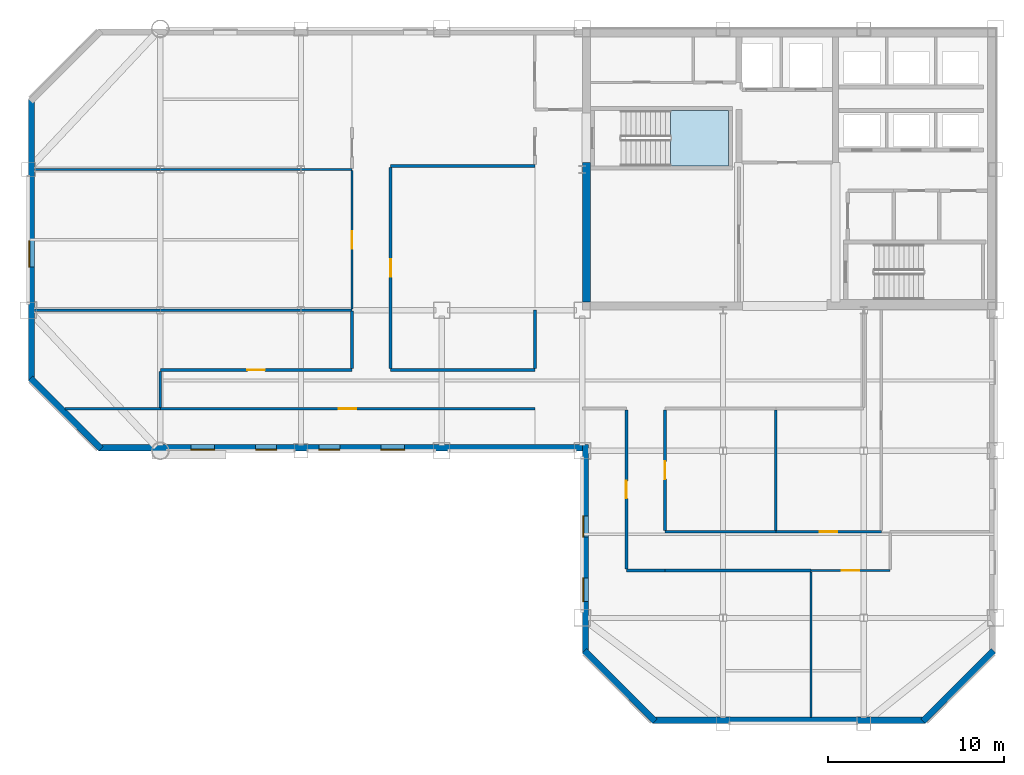
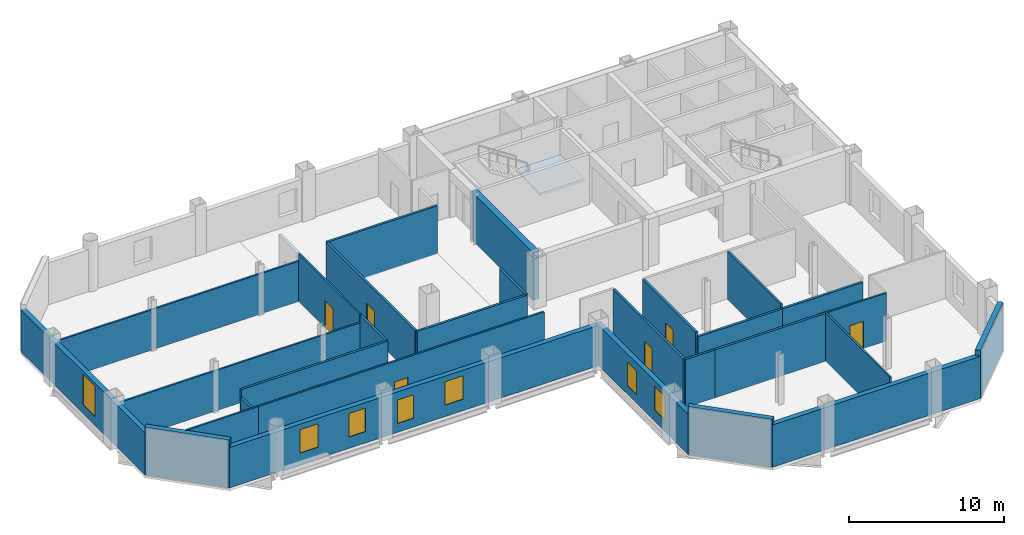
# One storey, part 4 of 10: 29 walls, 8 doors, 7 windows, 1 slab, 15 openings, 1 element without a shape of its own.
"""IFC4 building model written with IfcOpenShell, lengths in metres."""

from ifc_helpers import new_model, si_unit, direction, frame, frame_2d, origin, place, context, subcontext, project, spatial, polyline, rectangle, outline, extrude, material, layer, layer_set, type_object, element, fill, aggregate, save


model = new_model("IFC4")

# Units and contexts
model_context = context("Model", 3, precision=1e-05, world=origin(), true_north=direction((0.0, 1.0)))
body_context = subcontext(model_context, "Body", "Model", "MODEL_VIEW")
ifc_project = project(units=[si_unit("LENGTHUNIT", "METRE"), si_unit("AREAUNIT", "SQUARE_METRE"), si_unit("VOLUMEUNIT", "CUBIC_METRE"), si_unit("PLANEANGLEUNIT", "RADIAN"), si_unit("MASSUNIT", "GRAM", prefix="KILO")], contexts=[model_context])

# Site, building, storey
site_placement = place(None, origin())
site = spatial("IfcSite", under=ifc_project, at=site_placement, CompositionType="ELEMENT")
building_placement = place(site_placement, origin())
building = spatial("IfcBuilding", under=site, at=building_placement, Name="Qianrong Seaharbour Tower", CompositionType="ELEMENT")
storey_placement = place(building_placement, frame((0.0, 0.0, 241.800048828125)))
storey = spatial("IfcBuildingStorey", under=building, at=storey_placement, Name="L58", CompositionType="ELEMENT", Elevation=241.800048828125)

# Stair, slab
ifc_material_1 = material(Name="Concrete C50/60", Category="concrete")
stair_type = type_object("IfcStairType", Name="STAIR-DOGLEG-1500-R22", PredefinedType="HALF_TURN_STAIR", material=ifc_material_1)
stair_placement = place(storey_placement, origin())
stair = element("IfcStair", 1, at=stair_placement, inside=storey, type_object=stair_type, Name="L58 Protected Escape Stair ST-1", PredefinedType="HALF_TURN_STAIR")
ifc_layer_1 = layer(ifc_material_1, 0.199951171875)
ifc_layer_set_1 = layer_set([ifc_layer_1], Name="Concrete C50/60")
slab_type = type_object("IfcSlabType", Name="SLAB-STAIR-LANDING-200", PredefinedType="LANDING", material=ifc_layer_set_1)
slab_placement = place(storey_placement, frame((0.0, 0.0, 1.800048828125)))
slab = element("IfcSlab", 2, at=slab_placement, type_object=slab_type, Name="ST-1 landing 1", PredefinedType="LANDING", context=body_context, shape_type="SweptSolid", body=[
    extrude(outline(polyline([(45.5, 44.199951171875), (48.800048828125, 44.199951171875), (48.800048828125, 47.35009765625), (45.5, 47.35009765625), (45.5, 44.199951171875)])), origin(), (0.0, 0.0, 1.0), 0.199951171875),
])
aggregate(stair, [slab])

# Walls
ifc_material_2 = material(Name="Concrete C60/75", Category="concrete")
ifc_layer_2 = layer(ifc_material_2, 0.4599609375)
ifc_layer_set_2 = layer_set([ifc_layer_2], Name="Concrete C60/75")
wall_type_1 = type_object("IfcWallType", Name="WALL-CORE-460", PredefinedType="SHEAR", material=ifc_layer_set_2)
wall_1_placement = place(storey_placement, frame((40.72998046875, 36.4599609375, 0.0), z_axis=(0.0, 0.0, 1.0), x_axis=(0.0, 1.0, 0.0)))
element("IfcWall", 3, at=wall_1_placement, inside=storey, type_object=wall_type_1, Name="L58 West Core Shear Wall South", PredefinedType="SHEAR", context=body_context, shape_type="SweptSolid", body=[
    extrude(rectangle(XDim=7.93994140625, YDim=0.4599609375, at=frame_2d((3.969970703125, 0.0))), origin(), (0.0, 0.0, 1.0), 3.77490234375),
])
ifc_material_3 = material(Name="Fire-rated acoustic gypsum board partition")
ifc_layer_3 = layer(ifc_material_3, 0.1650390625)
ifc_layer_set_3 = layer_set([ifc_layer_3], Name="Fire-rated acoustic gypsum board partition")
wall_type_2 = type_object("IfcWallType", Name="WALL-CORR-PART-165", PredefinedType="PARTITIONING", material=ifc_layer_set_3)
wall_2_placement = place(storey_placement, frame((29.60009765625, 32.60009765625, 0.0), z_axis=(0.0, 0.0, 1.0), x_axis=(1.0, 0.0, 0.0)))
element("IfcWall", 4, at=wall_2_placement, inside=storey, type_object=wall_type_2, Name="L58 Interior Partition Wall 015", PredefinedType="PARTITIONING", context=body_context, shape_type="SweptSolid", body=[
    extrude(rectangle(XDim=8.199951171875, YDim=0.1650390625, at=frame_2d((4.10009765625, 0.0))), origin(), (0.0, 0.0, 1.0), 3.77490234375),
])
wall_3_placement = place(storey_placement, frame((16.5, 30.45703125, 0.0), z_axis=(0.0, 0.0, 1.0), x_axis=(0.0, 1.0, 0.0)))
element("IfcWall", 5, at=wall_3_placement, inside=storey, type_object=wall_type_2, Name="L58 Interior Partition Wall 016", PredefinedType="PARTITIONING", context=body_context, shape_type="SweptSolid", body=[
    extrude(rectangle(XDim=2.068359375, YDim=0.1650390625, at=frame_2d((1.0341796875, 0.0))), origin(), (0.0, 0.0, 1.0), 3.178955078125),
])

# Wall, opening, door
wall_4_placement = place(storey_placement, frame((16.5, 32.60009765625, 0.0), z_axis=(0.0, 0.0, 1.0), x_axis=(1.0, 0.0, 0.0)))
wall_4 = element("IfcWall", 6, at=wall_4_placement, inside=storey, type_object=wall_type_2, Name="L58 Interior Partition Wall 017", PredefinedType="PARTITIONING", context=body_context, shape_type="SweptSolid", body=[
    extrude(rectangle(XDim=10.89990234375, YDim=0.1650390625, at=frame_2d((5.449951171875, 0.0))), origin(), (0.0, 0.0, 1.0), 3.77490234375),
])
opening_1_placement = place(wall_4_placement, frame((4.949951171875, 0.0, 0.0)))
opening_1 = element("IfcOpeningElement", 7, at=opening_1_placement, cuts=wall_4, Name="Opening DO-01", PredefinedType="OPENING", context=body_context, shape_type="SweptSolid", body=[
    extrude(rectangle(XDim=1.0, YDim=2.14990234375, at=frame_2d((0.5, 1.074951171875))), frame((0.0, 0.092529296875, 0.0), z_axis=(0.0, -1.0, 0.0), x_axis=(1.0, 0.0, 0.0)), (0.0, 0.0, 1.0), 0.18505859375),
])
ifc_material_4 = material(Name="Acoustic timber and galvanized steel fire door assembly", Category="steel")
door_type = type_object("IfcDoorType", Name="DOOR-OFFICE-1000x2150", OperationType="NOTDEFINED", PredefinedType="DOOR", material=ifc_material_4)
door_1_placement = place(opening_1_placement, origin())
door_1 = element("IfcDoor", 8, at=door_1_placement, inside=storey, type_object=door_type, Name="L58 Harbour Sunset Lounge 1 Door", OperationType="SINGLE_SWING_RIGHT", OverallHeight=2.14990234375, OverallWidth=1.0, PredefinedType="DOOR", context=body_context, shape_type="SweptSolid", body=[
    extrude(rectangle(XDim=1.0, YDim=2.14990234375, at=frame_2d((0.5, 1.074951171875))), frame((0.0, 0.02490234375, 0.0), z_axis=(0.0, -1.0, 0.0), x_axis=(1.0, 0.0, 0.0)), (0.0, 0.0, 1.0), 0.050048828125),
])
fill(opening_1, door_1)

wall_5_placement = place(storey_placement, frame((29.60009765625, 44.12548828125, 0.0), z_axis=(0.0, 0.0, 1.0), x_axis=(0.0, -1.0, 0.0)))
wall_5 = element("IfcWall", 9, at=wall_5_placement, inside=storey, type_object=wall_type_2, Name="L58 Interior Partition Wall 019", PredefinedType="PARTITIONING", context=body_context, shape_type="SweptSolid", body=[
    extrude(rectangle(XDim=11.450927734375, YDim=0.1650390625, at=frame_2d((5.7255859375, 0.0))), origin(), (0.0, 0.0, 1.0), 3.77490234375),
])
opening_2_placement = place(wall_5_placement, frame((5.2255859375, 0.0, 0.0)))
opening_2 = element("IfcOpeningElement", 10, at=opening_2_placement, cuts=wall_5, Name="Opening DO-01", PredefinedType="OPENING", context=body_context, shape_type="SweptSolid", body=[
    extrude(rectangle(XDim=1.0, YDim=2.14990234375, at=frame_2d((0.5, 1.074951171875))), frame((0.0, 0.092529296875, 0.0), z_axis=(0.0, -1.0, 0.0), x_axis=(1.0, 0.0, 0.0)), (0.0, 0.0, 1.0), 0.18505859375),
])
door_2_placement = place(opening_2_placement, origin())
door_2 = element("IfcDoor", 11, at=door_2_placement, inside=storey, type_object=door_type, Name="L58 East Wing Open-Plan Office Door", OperationType="SINGLE_SWING_LEFT", OverallHeight=2.14990234375, OverallWidth=1.0, PredefinedType="DOOR", context=body_context, shape_type="SweptSolid", body=[
    extrude(rectangle(XDim=1.0, YDim=2.14990234375, at=frame_2d((0.5, 1.074951171875))), frame((0.0, 0.02490234375, 0.0), z_axis=(0.0, -1.0, 0.0), x_axis=(1.0, 0.0, 0.0)), (0.0, 0.0, 1.0), 0.050048828125),
])
fill(opening_2, door_2)

# Walls
wall_6_placement = place(storey_placement, frame((27.39990234375, 32.674560546875, 0.0), z_axis=(0.0, 0.0, 1.0), x_axis=(0.0, 1.0, 0.0)))
element("IfcWall", 12, at=wall_6_placement, inside=storey, type_object=wall_type_2, Name="L58 Interior Partition Wall 020", PredefinedType="PARTITIONING", context=body_context, shape_type="SweptSolid", body=[
    extrude(rectangle(XDim=3.2685546875, YDim=0.1650390625, at=frame_2d((1.63427734375, 0.0))), origin(), (0.0, 0.0, 1.0), 3.77490234375),
])
wall_7_placement = place(storey_placement, frame((37.800048828125, 44.199951171875, 0.0), z_axis=(0.0, 0.0, 1.0), x_axis=(-1.0, 0.0, 0.0)))
element("IfcWall", 13, at=wall_7_placement, inside=storey, type_object=wall_type_2, Name="L58 Interior Partition Wall 023", PredefinedType="PARTITIONING", context=body_context, shape_type="SweptSolid", body=[
    extrude(rectangle(XDim=8.199951171875, YDim=0.1650390625, at=frame_2d((4.10009765625, 0.0))), origin(), (0.0, 0.0, 1.0), 3.77490234375),
])
wall_8_placement = place(storey_placement, frame((37.800048828125, 32.674560546875, 0.0), z_axis=(0.0, 0.0, 1.0), x_axis=(0.0, 1.0, 0.0)))
element("IfcWall", 14, at=wall_8_placement, inside=storey, type_object=wall_type_2, Name="L58 Interior Partition Wall 024", PredefinedType="PARTITIONING", context=body_context, shape_type="SweptSolid", body=[
    extrude(rectangle(XDim=3.325439453125, YDim=0.1650390625, at=frame_2d((1.66259765625, 0.0))), origin(), (0.0, 0.0, 1.0), 3.77490234375),
])

# Wall, opening, door
wall_9_placement = place(storey_placement, frame((45.199951171875, 30.325439453125, 0.0), z_axis=(0.0, 0.0, 1.0), x_axis=(0.0, -1.0, 0.0)))
wall_9 = element("IfcWall", 15, at=wall_9_placement, inside=storey, type_object=wall_type_2, Name="L58 Interior Partition Wall 029", PredefinedType="PARTITIONING", context=body_context, shape_type="SweptSolid", body=[
    extrude(rectangle(XDim=6.850830078125, YDim=0.1650390625, at=frame_2d((3.42529296875, 0.0))), origin(), (0.0, 0.0, 1.0), 3.77490234375),
])
opening_3_placement = place(wall_9_placement, frame((2.925537109375, 0.0, 0.0)))
opening_3 = element("IfcOpeningElement", 16, at=opening_3_placement, cuts=wall_9, Name="Opening DO-01", PredefinedType="OPENING", context=body_context, shape_type="SweptSolid", body=[
    extrude(rectangle(XDim=1.0, YDim=2.14990234375, at=frame_2d((0.5, 1.074951171875))), frame((0.0, 0.092529296875, 0.0), z_axis=(0.0, -1.0, 0.0), x_axis=(1.0, 0.0, 0.0)), (0.0, 0.0, 1.0), 0.18505859375),
])
door_3_placement = place(opening_3_placement, origin())
door_3 = element("IfcDoor", 17, at=door_3_placement, inside=storey, type_object=door_type, Name="L58 East Harbour Dining Salon 1 Door", OperationType="SINGLE_SWING_LEFT", OverallHeight=2.14990234375, OverallWidth=1.0, PredefinedType="DOOR", context=body_context, shape_type="SweptSolid", body=[
    extrude(rectangle(XDim=1.0, YDim=2.14990234375, at=frame_2d((0.5, 1.074951171875))), frame((0.0, 0.02490234375, 0.0), z_axis=(0.0, -1.0, 0.0), x_axis=(1.0, 0.0, 0.0)), (0.0, 0.0, 1.0), 0.050048828125),
])
fill(opening_3, door_3)

# Wall
wall_10_placement = place(storey_placement, frame((45.199951171875, 21.199951171875, 0.0), z_axis=(0.0, 0.0, 1.0), x_axis=(-1.0, 0.0, 0.0)))
element("IfcWall", 18, at=wall_10_placement, inside=storey, type_object=wall_type_2, Name="L58 Interior Partition Wall 030", PredefinedType="PARTITIONING", context=body_context, shape_type="SweptSolid", body=[
    extrude(rectangle(XDim=2.199951171875, YDim=0.1650390625, at=frame_2d((1.10009765625, 0.0))), origin(), (0.0, 0.0, 1.0), 3.77490234375),
])

# Wall, opening, door
wall_11_placement = place(storey_placement, frame((43.0, 21.2744140625, 0.0), z_axis=(0.0, 0.0, 1.0), x_axis=(0.0, 1.0, 0.0)))
wall_11 = element("IfcWall", 19, at=wall_11_placement, inside=storey, type_object=wall_type_2, Name="L58 Interior Partition Wall 031", PredefinedType="PARTITIONING", context=body_context, shape_type="SweptSolid", body=[
    extrude(rectangle(XDim=9.051025390625, YDim=0.1650390625, at=frame_2d((4.525390625, 0.0))), origin(), (0.0, 0.0, 1.0), 3.77490234375),
])
opening_4_placement = place(wall_11_placement, frame((4.025390625, 0.0, 0.0)))
opening_4 = element("IfcOpeningElement", 20, at=opening_4_placement, cuts=wall_11, Name="Opening DO-01", PredefinedType="OPENING", context=body_context, shape_type="SweptSolid", body=[
    extrude(rectangle(XDim=1.0, YDim=2.14990234375, at=frame_2d((0.5, 1.074951171875))), frame((0.0, 0.092529296875, 0.0), z_axis=(0.0, -1.0, 0.0), x_axis=(1.0, 0.0, 0.0)), (0.0, 0.0, 1.0), 0.18505859375),
])
door_4_placement = place(opening_4_placement, origin())
door_4 = element("IfcDoor", 21, at=door_4_placement, inside=storey, type_object=door_type, Name="L58 South View Lounge 1 Door", OperationType="SINGLE_SWING_LEFT", OverallHeight=2.14990234375, OverallWidth=1.0, PredefinedType="DOOR", context=body_context, shape_type="SweptSolid", body=[
    extrude(rectangle(XDim=1.0, YDim=2.14990234375, at=frame_2d((0.5, 1.074951171875))), frame((0.0, 0.02490234375, 0.0), z_axis=(0.0, -1.0, 0.0), x_axis=(1.0, 0.0, 0.0)), (0.0, 0.0, 1.0), 0.050048828125),
])
fill(opening_4, door_4)

# Wall
wall_12_placement = place(storey_placement, frame((45.199951171875, 23.39990234375, 0.0), z_axis=(0.0, 0.0, 1.0), x_axis=(1.0, 0.0, 0.0)))
element("IfcWall", 22, at=wall_12_placement, inside=storey, type_object=wall_type_2, Name="L58 Interior Partition Wall 032", PredefinedType="PARTITIONING", context=body_context, shape_type="SweptSolid", body=[
    extrude(rectangle(XDim=6.300048828125, YDim=0.1650390625, at=frame_2d((3.14990234375, 0.0))), origin(), (0.0, 0.0, 1.0), 3.467041015625),
])

# Wall, opening, door
wall_13_placement = place(storey_placement, frame((51.5, 23.39990234375, 0.0), z_axis=(0.0, 0.0, 1.0), x_axis=(1.0, 0.0, 0.0)))
wall_13 = element("IfcWall", 23, at=wall_13_placement, inside=storey, type_object=wall_type_2, Name="L58 Interior Partition Wall 033", PredefinedType="PARTITIONING", context=body_context, shape_type="SweptSolid", body=[
    extrude(rectangle(XDim=6.0, YDim=0.1650390625, at=frame_2d((3.0, 0.0))), origin(), (0.0, 0.0, 1.0), 3.467041015625),
])
opening_5_placement = place(wall_13_placement, frame((2.5, 0.0, 0.0)))
opening_5 = element("IfcOpeningElement", 24, at=opening_5_placement, cuts=wall_13, Name="Opening DO-01", PredefinedType="OPENING", context=body_context, shape_type="SweptSolid", body=[
    extrude(rectangle(XDim=1.0, YDim=2.14990234375, at=frame_2d((0.5, 1.074951171875))), frame((0.0, 0.092529296875, 0.0), z_axis=(0.0, -1.0, 0.0), x_axis=(1.0, 0.0, 0.0)), (0.0, 0.0, 1.0), 0.18505859375),
])
door_5_placement = place(opening_5_placement, origin())
door_5 = element("IfcDoor", 25, at=door_5_placement, inside=storey, type_object=door_type, Name="L58 Catering Servery Kitchen 2 Door", OperationType="SINGLE_SWING_RIGHT", OverallHeight=2.14990234375, OverallWidth=1.0, PredefinedType="DOOR", context=body_context, shape_type="SweptSolid", body=[
    extrude(rectangle(XDim=1.0, YDim=2.14990234375, at=frame_2d((0.5, 1.074951171875))), frame((0.0, 0.02490234375, 0.0), z_axis=(0.0, -1.0, 0.0), x_axis=(1.0, 0.0, 0.0)), (0.0, 0.0, 1.0), 0.050048828125),
])
fill(opening_5, door_5)

# Wall
wall_14_placement = place(storey_placement, frame((53.5, 21.199951171875, 0.0), z_axis=(0.0, 0.0, 1.0), x_axis=(-1.0, 0.0, 0.0)))
element("IfcWall", 26, at=wall_14_placement, inside=storey, type_object=wall_type_2, Name="L58 Interior Partition Wall 034", PredefinedType="PARTITIONING", context=body_context, shape_type="SweptSolid", body=[
    extrude(rectangle(XDim=8.300048828125, YDim=0.1650390625, at=frame_2d((4.14990234375, 0.0))), origin(), (0.0, 0.0, 1.0), 3.77490234375),
])

# Wall, openings, windows
ifc_material_5 = material(Name="Unitised red brick on Precast concrete C45/55", Category="masonry")
ifc_layer_4 = layer(ifc_material_5, 0.360107421875)
ifc_layer_set_4 = layer_set([ifc_layer_4], Name="Unitised red brick on Precast concrete C45/55")
wall_type_3 = type_object("IfcWallType", Name="WALL-EXT-BRICK-RED-360", PredefinedType="SOLIDWALL", material=ifc_layer_set_4)
wall_15_placement = place(storey_placement, frame((40.679931640625, 16.5, 0.0), z_axis=(0.0, 0.0, 1.0), x_axis=(0.0, 1.0, 0.0)))
wall_15 = element("IfcWall", 27, at=wall_15_placement, inside=storey, type_object=wall_type_3, Name="L58 Exterior Masonry Facade Wall REENTRANT_WEST", PredefinedType="SOLIDWALL", context=body_context, shape_type="SweptSolid", body=[
    extrude(rectangle(XDim=11.860107421875, YDim=0.360107421875, at=frame_2d((5.93017578125, 0.0))), origin(), (0.0, 0.0, 1.0), 3.18701171875),
])
opening_6_placement = place(wall_15_placement, frame((2.925048828125, 0.0, 0.89990234375)))
opening_6 = element("IfcOpeningElement", 28, at=opening_6_placement, cuts=wall_15, Name="Opening WN-02", PredefinedType="OPENING", context=body_context, shape_type="SweptSolid", body=[
    extrude(rectangle(XDim=1.35009765625, YDim=1.85009765625, at=frame_2d((0.675048828125, 0.925048828125))), frame((0.0, 0.18994140625, 0.0), z_axis=(0.0, -1.0, 0.0), x_axis=(1.0, 0.0, 0.0)), (0.0, 0.0, 1.0), 0.380126953125),
])
opening_7_placement = place(wall_15_placement, frame((6.60009765625, 0.0, 0.699951171875)))
opening_7 = element("IfcOpeningElement", 29, at=opening_7_placement, cuts=wall_15, Name="Opening WN-01", PredefinedType="OPENING", context=body_context, shape_type="SweptSolid", body=[
    extrude(rectangle(XDim=1.199951171875, YDim=1.85009765625, at=frame_2d((0.60009765625, 0.925048828125))), frame((0.0, 0.18994140625, 0.0), z_axis=(0.0, -1.0, 0.0), x_axis=(1.0, 0.0, 0.0)), (0.0, 0.0, 1.0), 0.380126953125),
])
ifc_material_6 = material(Name="Insulated low-e double glazing in thermally broken aluminium 6063-T6 frame", Category="aluminium")
window_type_1 = type_object("IfcWindowType", Name="WIN-PUNCH-1200x1850", PartitioningType="DOUBLE_PANEL_VERTICAL", PredefinedType="WINDOW", material=ifc_material_6)
window_1_placement = place(opening_7_placement, origin())
window_1 = element("IfcWindow", 30, at=window_1_placement, inside=storey, type_object=window_type_1, Name="L58 Deep-Set Punched Window 00.02", OverallHeight=1.85009765625, OverallWidth=1.199951171875, PartitioningType="DOUBLE_PANEL_VERTICAL", PredefinedType="WINDOW", context=body_context, shape_type="SweptSolid", body=[
    extrude(rectangle(XDim=1.199951171875, YDim=1.85009765625, at=frame_2d((0.60009765625, 0.925048828125))), frame((0.0, 0.150146484375, 0.0), z_axis=(0.0, -1.0, 0.0), x_axis=(1.0, 0.0, 0.0)), (0.0, 0.0, 1.0), 0.06005859375),
])
fill(opening_7, window_1)
window_type_2 = type_object("IfcWindowType", Name="WIN-PUNCH-1350x1850", PartitioningType="DOUBLE_PANEL_VERTICAL", PredefinedType="WINDOW", material=ifc_material_6)
window_2_placement = place(opening_6_placement, origin())
window_2 = element("IfcWindow", 31, at=window_2_placement, inside=storey, type_object=window_type_2, Name="L58 Deep-Set Punched Window 00.01", OverallHeight=1.85009765625, OverallWidth=1.35009765625, PartitioningType="DOUBLE_PANEL_VERTICAL", PredefinedType="WINDOW", context=body_context, shape_type="SweptSolid", body=[
    extrude(rectangle(XDim=1.35009765625, YDim=1.85009765625, at=frame_2d((0.675048828125, 0.925048828125))), frame((0.0, 0.150146484375, 0.0), z_axis=(0.0, -1.0, 0.0), x_axis=(1.0, 0.0, 0.0)), (0.0, 0.0, 1.0), 0.06005859375),
])
fill(opening_6, window_2)

wall_16_placement = place(storey_placement, frame((40.52001953125, 28.179931640625, 0.0), z_axis=(0.0, 0.0, 1.0), x_axis=(-1.0, 0.0, 0.0)))
wall_16 = element("IfcWall", 32, at=wall_16_placement, inside=storey, type_object=wall_type_3, Name="L58 Exterior Masonry Facade Wall HARBOUR_RIBBON", PredefinedType="SOLIDWALL", context=body_context, shape_type="SweptSolid", body=[
    extrude(rectangle(XDim=27.52001953125, YDim=0.360107421875, at=frame_2d((13.760009765625, 0.0))), origin(), (0.0, 0.0, 1.0), 3.18701171875),
])
opening_8_placement = place(wall_16_placement, frame((10.125, 0.0, 0.89990234375)))
opening_8 = element("IfcOpeningElement", 33, at=opening_8_placement, cuts=wall_16, Name="Opening WN-02", PredefinedType="OPENING", context=body_context, shape_type="SweptSolid", body=[
    extrude(rectangle(XDim=1.35009765625, YDim=1.85009765625, at=frame_2d((0.675048828125, 0.925048828125))), frame((0.0, 0.18994140625, 0.0), z_axis=(0.0, -1.0, 0.0), x_axis=(1.0, 0.0, 0.0)), (0.0, 0.0, 1.0), 0.380126953125),
])
opening_9_placement = place(wall_16_placement, frame((13.800048828125, 0.0, 0.699951171875)))
opening_9 = element("IfcOpeningElement", 34, at=opening_9_placement, cuts=wall_16, Name="Opening WN-01", PredefinedType="OPENING", context=body_context, shape_type="SweptSolid", body=[
    extrude(rectangle(XDim=1.199951171875, YDim=1.85009765625, at=frame_2d((0.60009765625, 0.925048828125))), frame((0.0, 0.18994140625, 0.0), z_axis=(0.0, -1.0, 0.0), x_axis=(1.0, 0.0, 0.0)), (0.0, 0.0, 1.0), 0.380126953125),
])
opening_10_placement = place(wall_16_placement, frame((17.39990234375, 0.0, 0.89990234375)))
opening_10 = element("IfcOpeningElement", 35, at=opening_10_placement, cuts=wall_16, Name="Opening WN-01", PredefinedType="OPENING", context=body_context, shape_type="SweptSolid", body=[
    extrude(rectangle(XDim=1.199951171875, YDim=1.85009765625, at=frame_2d((0.60009765625, 0.925048828125))), frame((0.0, 0.18994140625, 0.0), z_axis=(0.0, -1.0, 0.0), x_axis=(1.0, 0.0, 0.0)), (0.0, 0.0, 1.0), 0.380126953125),
])
opening_11_placement = place(wall_16_placement, frame((20.925048828125, 0.0, 0.89990234375)))
opening_11 = element("IfcOpeningElement", 36, at=opening_11_placement, cuts=wall_16, Name="Opening WN-02", PredefinedType="OPENING", context=body_context, shape_type="SweptSolid", body=[
    extrude(rectangle(XDim=1.35009765625, YDim=1.85009765625, at=frame_2d((0.675048828125, 0.925048828125))), frame((0.0, 0.18994140625, 0.0), z_axis=(0.0, -1.0, 0.0), x_axis=(1.0, 0.0, 0.0)), (0.0, 0.0, 1.0), 0.380126953125),
])
window_3_placement = place(opening_9_placement, origin())
window_3 = element("IfcWindow", 37, at=window_3_placement, inside=storey, type_object=window_type_1, Name="L58 Deep-Set Punched Window 01.04", OverallHeight=1.85009765625, OverallWidth=1.199951171875, PartitioningType="DOUBLE_PANEL_VERTICAL", PredefinedType="WINDOW", context=body_context, shape_type="SweptSolid", body=[
    extrude(rectangle(XDim=1.199951171875, YDim=1.85009765625, at=frame_2d((0.60009765625, 0.925048828125))), frame((0.0, 0.150146484375, 0.0), z_axis=(0.0, -1.0, 0.0), x_axis=(1.0, 0.0, 0.0)), (0.0, 0.0, 1.0), 0.06005859375),
])
fill(opening_9, window_3)
window_4_placement = place(opening_10_placement, origin())
window_4 = element("IfcWindow", 38, at=window_4_placement, inside=storey, type_object=window_type_1, Name="L58 Deep-Set Punched Window 01.05", OverallHeight=1.85009765625, OverallWidth=1.199951171875, PartitioningType="DOUBLE_PANEL_VERTICAL", PredefinedType="WINDOW", context=body_context, shape_type="SweptSolid", body=[
    extrude(rectangle(XDim=1.199951171875, YDim=1.85009765625, at=frame_2d((0.60009765625, 0.925048828125))), frame((0.0, 0.150146484375, 0.0), z_axis=(0.0, -1.0, 0.0), x_axis=(1.0, 0.0, 0.0)), (0.0, 0.0, 1.0), 0.06005859375),
])
fill(opening_10, window_4)
window_5_placement = place(opening_8_placement, origin())
window_5 = element("IfcWindow", 39, at=window_5_placement, inside=storey, type_object=window_type_2, Name="L58 Deep-Set Punched Window 01.03", OverallHeight=1.85009765625, OverallWidth=1.35009765625, PartitioningType="DOUBLE_PANEL_VERTICAL", PredefinedType="WINDOW", context=body_context, shape_type="SweptSolid", body=[
    extrude(rectangle(XDim=1.35009765625, YDim=1.85009765625, at=frame_2d((0.675048828125, 0.925048828125))), frame((0.0, 0.150146484375, 0.0), z_axis=(0.0, -1.0, 0.0), x_axis=(1.0, 0.0, 0.0)), (0.0, 0.0, 1.0), 0.06005859375),
])
fill(opening_8, window_5)
window_6_placement = place(opening_11_placement, origin())
window_6 = element("IfcWindow", 40, at=window_6_placement, inside=storey, type_object=window_type_2, Name="L58 Deep-Set Punched Window 01.06", OverallHeight=1.85009765625, OverallWidth=1.35009765625, PartitioningType="DOUBLE_PANEL_VERTICAL", PredefinedType="WINDOW", context=body_context, shape_type="SweptSolid", body=[
    extrude(rectangle(XDim=1.35009765625, YDim=1.85009765625, at=frame_2d((0.675048828125, 0.925048828125))), frame((0.0, 0.150146484375, 0.0), z_axis=(0.0, -1.0, 0.0), x_axis=(1.0, 0.0, 0.0)), (0.0, 0.0, 1.0), 0.06005859375),
])
fill(opening_11, window_6)

# Wall
wall_17_placement = place(storey_placement, frame((13.127197265625, 28.127197265625, 0.0), z_axis=(0.0, 0.0, 1.0), x_axis=(-0.707106781187, 0.707106781187, 0.0)))
element("IfcWall", 41, at=wall_17_placement, inside=storey, type_object=wall_type_3, Name="L58 Exterior Masonry Facade Wall E02", PredefinedType="SOLIDWALL", context=body_context, shape_type="SweptSolid", body=[
    extrude(rectangle(XDim=5.65673828125, YDim=0.360107421875, at=frame_2d((2.828369140625, 0.0))), origin(), (0.0, 0.0, 1.0), 3.77490234375),
])

# Wall, opening, window
wall_18_placement = place(storey_placement, frame((9.179931640625, 32.0, 0.0), z_axis=(0.0, 0.0, 1.0), x_axis=(0.0, 1.0, 0.0)))
wall_18 = element("IfcWall", 42, at=wall_18_placement, inside=storey, type_object=wall_type_3, Name="L58 Exterior Masonry Facade Wall WEST_TIP", PredefinedType="SOLIDWALL", context=body_context, shape_type="SweptSolid", body=[
    extrude(rectangle(XDim=16.0, YDim=0.360107421875, at=frame_2d((8.0, 0.0))), origin(), (0.0, 0.0, 1.0), 3.324951171875),
])
opening_12_placement = place(wall_18_placement, frame((6.449951171875, 0.0, 0.699951171875)))
opening_12 = element("IfcOpeningElement", 43, at=opening_12_placement, cuts=wall_18, Name="Opening WN-08", PredefinedType="OPENING", context=body_context, shape_type="SweptSolid", body=[
    extrude(rectangle(XDim=1.5, YDim=2.39990234375, at=frame_2d((0.75, 1.199951171875))), frame((0.0, 0.18994140625, 0.0), z_axis=(0.0, -1.0, 0.0), x_axis=(1.0, 0.0, 0.0)), (0.0, 0.0, 1.0), 0.380126953125),
])
window_type_3 = type_object("IfcWindowType", Name="WIN-PUNCH-1500x2400", PartitioningType="DOUBLE_PANEL_HORIZONTAL", PredefinedType="WINDOW", material=ifc_material_6)
window_7_placement = place(opening_12_placement, origin())
window_7 = element("IfcWindow", 44, at=window_7_placement, inside=storey, type_object=window_type_3, Name="L58 Deep-Set Punched Window 03.02", OverallHeight=2.39990234375, OverallWidth=1.5, PartitioningType="DOUBLE_PANEL_HORIZONTAL", PredefinedType="WINDOW", context=body_context, shape_type="SweptSolid", body=[
    extrude(rectangle(XDim=1.5, YDim=2.39990234375, at=frame_2d((0.75, 1.199951171875))), frame((0.0, 0.150146484375, 0.0), z_axis=(0.0, -1.0, 0.0), x_axis=(1.0, 0.0, 0.0)), (0.0, 0.0, 1.0), 0.06005859375),
])
fill(opening_12, window_7)

# Walls
wall_19_placement = place(storey_placement, frame((63.872802734375, 16.627197265625, 0.0), z_axis=(0.0, 0.0, 1.0), x_axis=(-0.707106781187, -0.707106781187, 0.0)))
element("IfcWall", 45, at=wall_19_placement, inside=storey, type_object=wall_type_3, Name="L58 Exterior Masonry Facade Wall E07", PredefinedType="SOLIDWALL", context=body_context, shape_type="SweptSolid", body=[
    extrude(rectangle(XDim=5.65673828125, YDim=0.360107421875, at=frame_2d((2.828369140625, 0.0))), origin(), (0.0, 0.0, 1.0), 3.77490234375),
])
wall_20_placement = place(storey_placement, frame((60.0, 12.679931640625, 0.0), z_axis=(0.0, 0.0, 1.0), x_axis=(-1.0, 0.0, 0.0)))
element("IfcWall", 46, at=wall_20_placement, inside=storey, type_object=wall_type_3, Name="L58 Exterior Masonry Facade Wall SOUTH_TIP", PredefinedType="SOLIDWALL", context=body_context, shape_type="SweptSolid", body=[
    extrude(rectangle(XDim=15.5, YDim=0.360107421875, at=frame_2d((7.75, 0.0))), origin(), (0.0, 0.0, 1.0), 3.324951171875),
])
wall_21_placement = place(storey_placement, frame((44.627197265625, 12.627197265625, 0.0), z_axis=(0.0, 0.0, 1.0), x_axis=(-0.707106781187, 0.707106781187, 0.0)))
element("IfcWall", 47, at=wall_21_placement, inside=storey, type_object=wall_type_3, Name="L58 Exterior Masonry Facade Wall E09", PredefinedType="SOLIDWALL", context=body_context, shape_type="SweptSolid", body=[
    extrude(rectangle(XDim=5.65673828125, YDim=0.360107421875, at=frame_2d((2.828369140625, 0.0))), origin(), (0.0, 0.0, 1.0), 3.77490234375),
])
ifc_material_7 = material(Name="Acoustic gypsum board stud partition")
ifc_layer_5 = layer(ifc_material_7, 0.14501953125)
ifc_layer_set_5 = layer_set([ifc_layer_5], Name="Acoustic gypsum board stud partition")
wall_type_4 = type_object("IfcWallType", Name="WALL-OFFICE-PART-145", PredefinedType="PARTITIONING", material=ifc_layer_set_5)
wall_22_placement = place(storey_placement, frame((51.5, 30.325439453125, 0.0), z_axis=(0.0, 0.0, 1.0), x_axis=(0.0, -1.0, 0.0)))
element("IfcWall", 48, at=wall_22_placement, inside=storey, type_object=wall_type_4, Name="L58 Interior Partition Wall 040", PredefinedType="PARTITIONING", context=body_context, shape_type="SweptSolid", body=[
    extrude(rectangle(XDim=6.850830078125, YDim=0.14501953125, at=frame_2d((3.42529296875, 0.0))), origin(), (0.0, 0.0, 1.0), 3.77490234375),
])

# Wall, opening, door
ifc_material_8 = material(Name="Water-resistant cement board sanitary partition")
ifc_layer_6 = layer(ifc_material_8, 0.1298828125)
ifc_layer_set_6 = layer_set([ifc_layer_6], Name="Water-resistant cement board sanitary partition")
wall_type_5 = type_object("IfcWallType", Name="WALL-WET-PART-130", PredefinedType="PARTITIONING", material=ifc_layer_set_6)
wall_23_placement = place(storey_placement, frame((37.800048828125, 30.39990234375, 0.0), z_axis=(0.0, 0.0, 1.0), x_axis=(-1.0, 0.0, 0.0)))
wall_23 = element("IfcWall", 49, at=wall_23_placement, inside=storey, type_object=wall_type_5, Name="L58 Interior Partition Wall 018", PredefinedType="PARTITIONING", context=body_context, shape_type="SweptSolid", body=[
    extrude(rectangle(XDim=21.300048828125, YDim=0.1298828125, at=frame_2d((10.64990234375, 0.0))), origin(), (0.0, 0.0, 1.0), 3.77490234375),
])
opening_13_placement = place(wall_23_placement, frame((10.14990234375, 0.0, 0.0)))
opening_13 = element("IfcOpeningElement", 50, at=opening_13_placement, cuts=wall_23, Name="Opening DO-01", PredefinedType="OPENING", context=body_context, shape_type="SweptSolid", body=[
    extrude(rectangle(XDim=1.0, YDim=2.14990234375, at=frame_2d((0.5, 1.074951171875))), frame((0.0, 0.074951171875, 0.0), z_axis=(0.0, -1.0, 0.0), x_axis=(1.0, 0.0, 0.0)), (0.0, 0.0, 1.0), 0.14990234375),
])
door_6_placement = place(opening_13_placement, origin())
door_6 = element("IfcDoor", 51, at=door_6_placement, inside=storey, type_object=door_type, Name="L58 Wet Pantry 1 Door", OperationType="SINGLE_SWING_RIGHT", OverallHeight=2.14990234375, OverallWidth=1.0, PredefinedType="DOOR", context=body_context, shape_type="SweptSolid", body=[
    extrude(rectangle(XDim=1.0, YDim=2.14990234375, at=frame_2d((0.5, 1.074951171875))), frame((0.0, 0.02490234375, 0.0), z_axis=(0.0, -1.0, 0.0), x_axis=(1.0, 0.0, 0.0)), (0.0, 0.0, 1.0), 0.050048828125),
])
fill(opening_13, door_6)

wall_24_placement = place(storey_placement, frame((27.39990234375, 36.056884765625, 0.0), z_axis=(0.0, 0.0, 1.0), x_axis=(0.0, 1.0, 0.0)))
wall_24 = element("IfcWall", 52, at=wall_24_placement, inside=storey, type_object=wall_type_5, Name="L58 Interior Partition Wall 021", PredefinedType="PARTITIONING", context=body_context, shape_type="SweptSolid", body=[
    extrude(rectangle(XDim=7.88623046875, YDim=0.1298828125, at=frame_2d((3.943115234375, 0.0))), origin(), (0.0, 0.0, 1.0), 3.77490234375),
])
opening_14_placement = place(wall_24_placement, frame((3.443115234375, 0.0, 0.0)))
opening_14 = element("IfcOpeningElement", 53, at=opening_14_placement, cuts=wall_24, Name="Opening DO-01", PredefinedType="OPENING", context=body_context, shape_type="SweptSolid", body=[
    extrude(rectangle(XDim=1.0, YDim=2.14990234375, at=frame_2d((0.5, 1.074951171875))), frame((0.0, 0.074951171875, 0.0), z_axis=(0.0, -1.0, 0.0), x_axis=(1.0, 0.0, 0.0)), (0.0, 0.0, 1.0), 0.14990234375),
])
door_7_placement = place(opening_14_placement, origin())
door_7 = element("IfcDoor", 54, at=door_7_placement, inside=storey, type_object=door_type, Name="L58 Barista Coffee Pantry 2 Door", OperationType="SINGLE_SWING_LEFT", OverallHeight=2.14990234375, OverallWidth=1.0, PredefinedType="DOOR", context=body_context, shape_type="SweptSolid", body=[
    extrude(rectangle(XDim=1.0, YDim=2.14990234375, at=frame_2d((0.5, 1.074951171875))), frame((0.0, 0.02490234375, 0.0), z_axis=(0.0, -1.0, 0.0), x_axis=(1.0, 0.0, 0.0)), (0.0, 0.0, 1.0), 0.050048828125),
])
fill(opening_14, door_7)

wall_25_placement = place(storey_placement, frame((58.0, 21.199951171875, 0.0), z_axis=(0.0, 0.0, 1.0), x_axis=(-1.0, 0.0, 0.0)))
wall_25 = element("IfcWall", 55, at=wall_25_placement, inside=storey, type_object=wall_type_5, Name="L58 Interior Partition Wall 036", PredefinedType="PARTITIONING", context=body_context, shape_type="SweptSolid", body=[
    extrude(rectangle(XDim=4.5, YDim=0.1298828125, at=frame_2d((2.25, 0.0))), origin(), (0.0, 0.0, 1.0), 3.77490234375),
])
opening_15_placement = place(wall_25_placement, frame((1.75, 0.0, 0.0)))
opening_15 = element("IfcOpeningElement", 56, at=opening_15_placement, cuts=wall_25, Name="Opening DO-01", PredefinedType="OPENING", context=body_context, shape_type="SweptSolid", body=[
    extrude(rectangle(XDim=1.0, YDim=2.14990234375, at=frame_2d((0.5, 1.074951171875))), frame((0.0, 0.074951171875, 0.0), z_axis=(0.0, -1.0, 0.0), x_axis=(1.0, 0.0, 0.0)), (0.0, 0.0, 1.0), 0.14990234375),
])
door_8_placement = place(opening_15_placement, origin())
door_8 = element("IfcDoor", 57, at=door_8_placement, inside=storey, type_object=door_type, Name="L58 Tea Servery Pantry 2 Door", OperationType="SINGLE_SWING_RIGHT", OverallHeight=2.14990234375, OverallWidth=1.0, PredefinedType="DOOR", context=body_context, shape_type="SweptSolid", body=[
    extrude(rectangle(XDim=1.0, YDim=2.14990234375, at=frame_2d((0.5, 1.074951171875))), frame((0.0, 0.02490234375, 0.0), z_axis=(0.0, -1.0, 0.0), x_axis=(1.0, 0.0, 0.0)), (0.0, 0.0, 1.0), 0.050048828125),
])
fill(opening_15, door_8)

# Walls
wall_26_placement = place(storey_placement, frame((9.35205078125, 36.0, 0.0), z_axis=(0.0, 0.0, 1.0), x_axis=(1.0, 0.0, 0.0)))
element("IfcWall", 58, at=wall_26_placement, inside=storey, type_object=wall_type_5, Name="L58 Interior Partition Wall 037", PredefinedType="PARTITIONING", context=body_context, shape_type="SweptSolid", body=[
    extrude(rectangle(XDim=18.0478515625, YDim=0.1298828125, at=frame_2d((9.02392578125, 0.0))), origin(), (0.0, 0.0, 1.0), 3.178955078125),
])
wall_27_placement = place(storey_placement, frame((16.5, 30.39990234375, 0.0), z_axis=(0.0, 0.0, 1.0), x_axis=(-1.0, 0.0, 0.0)))
element("IfcWall", 59, at=wall_27_placement, inside=storey, type_object=wall_type_5, Name="L58 Interior Partition Wall 038", PredefinedType="PARTITIONING", context=body_context, shape_type="SweptSolid", body=[
    extrude(rectangle(XDim=5.402099609375, YDim=0.1298828125, at=frame_2d((2.701171875, 0.0))), origin(), (0.0, 0.0, 1.0), 3.77490234375),
])
wall_28_placement = place(storey_placement, frame((9.35205078125, 44.0, 0.0), z_axis=(0.0, 0.0, 1.0), x_axis=(1.0, 0.0, 0.0)))
element("IfcWall", 60, at=wall_28_placement, inside=storey, type_object=wall_type_5, Name="L58 Interior Partition Wall 039", PredefinedType="PARTITIONING", context=body_context, shape_type="SweptSolid", body=[
    extrude(rectangle(XDim=18.0478515625, YDim=0.1298828125, at=frame_2d((9.02392578125, 0.0))), origin(), (0.0, 0.0, 1.0), 3.178955078125),
])
wall_29_placement = place(storey_placement, frame((53.5, 21.12548828125, 0.0), z_axis=(0.0, 0.0, 1.0), x_axis=(0.0, -1.0, 0.0)))
element("IfcWall", 61, at=wall_29_placement, inside=storey, type_object=wall_type_5, Name="L58 Interior Partition Wall 043", PredefinedType="PARTITIONING", context=body_context, shape_type="SweptSolid", body=[
    extrude(rectangle(XDim=8.2734375, YDim=0.1298828125, at=frame_2d((4.13671875, 0.0))), origin(), (0.0, 0.0, 1.0), 3.77490234375),
])

save(model, "model.ifc")
